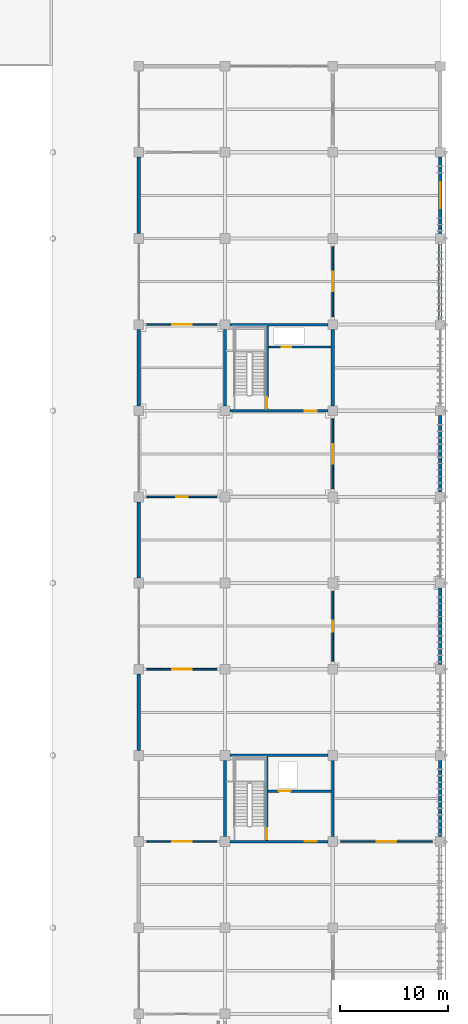
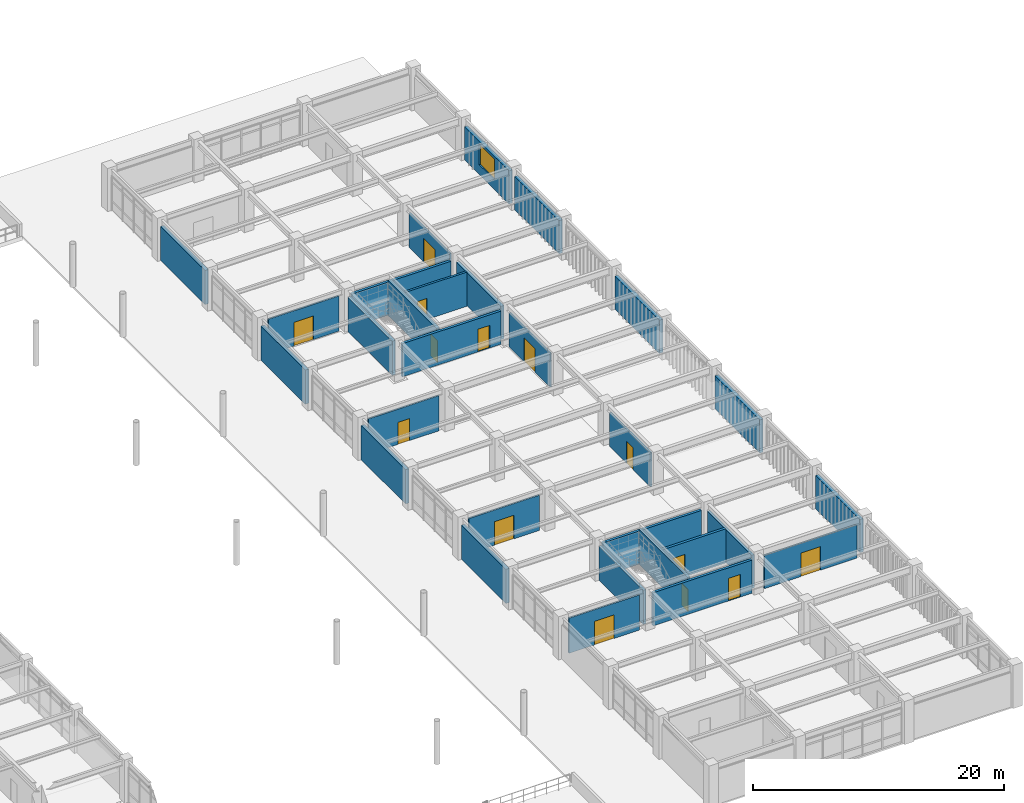
# One storey, part 93 of 118: 29 walls, 14 doors, 1 window, 15 openings.
"""IFC4 building model written with IfcOpenShell, lengths in metres."""

import ifcopenshell
import ifcopenshell.guid

model = None  # the IFC model being written
_history = None  # IfcOwnerHistory: only IFC2X3 demands one
_inside = {}  # id of a spatial element -> (the spatial element, [elements in it])
_under = {}  # id of a project, library or spatial element -> (it, [spatial elements below it])
_declared = {}  # id of a project -> (the project, [libraries it declares])
_typed = {}  # id of a type object -> (the type object, [elements of that type])
_made_of = {}  # id of a material, layer set ... -> (it, [elements and type objects made of it])


def new_model(schema):
    """Start an empty IFC model of exactly this schema.

    Asked for "IFC4X3", IfcOpenShell would pick the latest addendum, in which some entities
    have other attributes; the version numbers below select the first issue.
    IFC2X3 requires an IfcOwnerHistory on every rooted entity: one is made here for all.
    """
    global model, _history
    if schema == "IFC4X3":
        model = ifcopenshell.file(schema_version=(4, 3, 0, 0))
    else:
        model = ifcopenshell.file(schema=schema)
    _inside.clear()
    _under.clear()
    _declared.clear()
    _typed.clear()
    _made_of.clear()
    _history = None
    if model.schema == "IFC2X3":
        org = make("IfcOrganization", Name="unknown")
        user = make(
            "IfcPersonAndOrganization",
            ThePerson=make("IfcPerson", FamilyName="unknown"),
            TheOrganization=org,
        )
        app = make(
            "IfcApplication",
            ApplicationDeveloper=org,
            Version="unknown",
            ApplicationFullName="unknown",
            ApplicationIdentifier="unknown",
        )
        _history = make(
            "IfcOwnerHistory",
            OwningUser=user,
            OwningApplication=app,
            ChangeAction="ADDED",
            CreationDate=0,
        )
    return model


def make(cls, **values):
    """One entity of the class cls with the attributes given. An attribute that is None is left unset."""
    return model.create_entity(
        cls, **{name: value for name, value in values.items() if value is not None}
    )


def rooted(cls, **values):
    """An entity with a GlobalId (a new one), such as an element, a storey or a relation."""
    return make(cls, GlobalId=ifcopenshell.guid.new(), OwnerHistory=_history, **values)


def si_unit(unit_type, name, prefix=None):
    """IfcSIUnit, for example si_unit("LENGTHUNIT", "METRE", prefix="MILLI")."""
    return make("IfcSIUnit", UnitType=unit_type, Prefix=prefix, Name=name)


def assignment(units):
    """IfcUnitAssignment: the units of a project."""
    return None if units is None else make("IfcUnitAssignment", Units=units)


def point(xyz):
    """IfcCartesianPoint."""
    return None if xyz is None else make("IfcCartesianPoint", Coordinates=xyz)


def direction(xyz):
    """IfcDirection."""
    return None if xyz is None else make("IfcDirection", DirectionRatios=xyz)


def frame(location, z_axis=None, x_axis=None):
    """IfcAxis2Placement3D, a coordinate frame: its origin and axes. An axis left out is left unset."""
    return make(
        "IfcAxis2Placement3D",
        Location=point(location),
        Axis=direction(z_axis),
        RefDirection=direction(x_axis),
    )


def frame_2d(location, x_axis=None):
    """IfcAxis2Placement2D, a coordinate frame in the plane: its origin and x axis."""
    return make(
        "IfcAxis2Placement2D", Location=point(location), RefDirection=direction(x_axis)
    )


def origin():
    """The frame at (0, 0, 0) with its axes left unset."""
    return frame((0.0, 0.0, 0.0))


def place(relative_to, where):
    """IfcLocalPlacement: puts the frame where relative to a parent placement (None: the world)."""
    return make(
        "IfcLocalPlacement", PlacementRelTo=relative_to, RelativePlacement=where
    )


def context(
    kind, dimensions, precision=None, world=None, true_north=None, identifier=None
):
    """IfcGeometricRepresentationContext, for example the 3D "Model" context."""
    return make(
        "IfcGeometricRepresentationContext",
        ContextIdentifier=identifier,
        ContextType=kind,
        CoordinateSpaceDimension=dimensions,
        Precision=precision,
        WorldCoordinateSystem=world,
        TrueNorth=true_north,
    )


def subcontext(parent, identifier, kind, view, scale=None):
    """IfcGeometricRepresentationSubContext, for example "Body" below "Model"."""
    return make(
        "IfcGeometricRepresentationSubContext",
        ContextIdentifier=identifier,
        ContextType=kind,
        ParentContext=parent,
        TargetScale=scale,
        TargetView=view,
    )


def project(units=None, contexts=None):
    """IfcProject with its units and contexts."""
    return rooted(
        "IfcProject",
        Name="project",
        RepresentationContexts=contexts,
        UnitsInContext=assignment(units),
    )


def spatial(cls, under=None, at=None, **own):
    """A site, building, storey or space (cls), placed at a placement, below another one or the project."""
    s = rooted(cls, ObjectPlacement=at, **own)
    if under is not None:
        _under.setdefault(under.id(), (under, []))[1].append(s)
    return s


def profile(cls, at=None, kind="AREA", **sizes):
    """A parametric profile (cls). Its sizes go by their IFC names, for example OverallWidth=200.0."""
    return make(cls, ProfileType=kind, Position=at, **sizes)


def rectangle(**sizes):
    """IfcRectangleProfileDef."""
    return profile("IfcRectangleProfileDef", **sizes)


def extrude(swept, where, along, depth):
    """IfcExtrudedAreaSolid: the profile swept, set in the frame where, extruded along a direction by depth."""
    return make(
        "IfcExtrudedAreaSolid",
        SweptArea=swept,
        Position=where,
        ExtrudedDirection=direction(along),
        Depth=depth,
    )


def shape(context_of_items, identifier, shape_type, items):
    """IfcShapeRepresentation: the items that make up one representation, for example the "Body"."""
    return make(
        "IfcShapeRepresentation",
        ContextOfItems=context_of_items,
        RepresentationIdentifier=identifier,
        RepresentationType=shape_type,
        Items=items,
    )


def material(Name=None, Category=None):
    """IfcMaterial."""
    return make("IfcMaterial", Name=Name, Category=Category)


def layer(
    of_material, thickness, ventilated=None, Name=None, Category=None, Priority=None
):
    """IfcMaterialLayer: one layer of a wall or slab, of a material (None: an air gap)."""
    return make(
        "IfcMaterialLayer",
        Material=of_material,
        LayerThickness=thickness,
        IsVentilated=ventilated,
        Name=Name,
        Category=Category,
        Priority=Priority,
    )


def layer_set(layers, Name=None):
    """IfcMaterialLayerSet."""
    return make("IfcMaterialLayerSet", MaterialLayers=layers, LayerSetName=Name)


def made_of(thing, what):
    """Note that an element or type object is made of a material, layer set ...; save() writes the relation."""
    if what is not None:
        _made_of.setdefault(what.id(), (what, []))[1].append(thing)
    return thing


def type_object(cls, material=None, **own):
    """A type object (cls), such as IfcWallType, which elements share."""
    return made_of(rooted(cls, **own), material)


def element(
    cls,
    number,
    at=None,
    inside=None,
    cuts=None,
    type_object=None,
    material=None,
    context=None,
    identifier="Body",
    shape_type=None,
    held_by="IfcProductDefinitionShape",
    body=None,
    shapes=None,
    **own,
):
    """One element of the class cls, such as IfcWall. Its Tag is "e" and its number.

    at: its placement. inside: the storey or other place that contains it. cuts: it is an
    opening in that element (IfcRelVoidsElement). A single representation is given by context,
    identifier, shape_type and body (its items); several are given by shapes. held_by: the class
    of the entity that holds the representations. save() writes the other relations.
    """
    e = rooted(cls, Tag="e%d" % number, ObjectPlacement=at, **own)
    if body is not None:
        shapes = [shape(context, identifier, shape_type, body)]
    if shapes is not None:
        e.Representation = make(held_by, Representations=shapes)
    if inside is not None:
        _inside.setdefault(inside.id(), (inside, []))[1].append(e)
    if cuts is not None:
        rooted(
            "IfcRelVoidsElement", RelatingBuildingElement=cuts, RelatedOpeningElement=e
        )
    if type_object is not None:
        _typed.setdefault(type_object.id(), (type_object, []))[1].append(e)
    return made_of(e, material)


def fill(opening, filler):
    """IfcRelFillsElement: the door or window that sits in an opening."""
    return rooted(
        "IfcRelFillsElement",
        RelatingOpeningElement=opening,
        RelatedBuildingElement=filler,
    )


def aggregate(whole, parts):
    """IfcRelAggregates: a whole, such as a stair, and the parts it consists of."""
    return rooted("IfcRelAggregates", RelatingObject=whole, RelatedObjects=parts)


def save(model, path):
    """Write the relations noted so far, then the file.

    IfcRelAggregates (storeys below a building ...), IfcRelContainedInSpatialStructure (elements
    in a storey), IfcRelDefinesByType, IfcRelAssociatesMaterial and IfcRelDeclares: one each for
    every whole, place, type object, material and project.
    """
    for whole, parts in _under.values():
        aggregate(whole, parts)
    for where, things in _inside.values():
        rooted(
            "IfcRelContainedInSpatialStructure",
            RelatedElements=things,
            RelatingStructure=where,
        )
    for kind, things in _typed.values():
        rooted("IfcRelDefinesByType", RelatedObjects=things, RelatingType=kind)
    for what, things in _made_of.values():
        rooted("IfcRelAssociatesMaterial", RelatedObjects=things, RelatingMaterial=what)
    for by, libraries in _declared.values():
        rooted("IfcRelDeclares", RelatingContext=by, RelatedDefinitions=libraries)
    model.write(path)


model = new_model("IFC4")

# Units and contexts
model_context = context("Model", 3, precision=1e-05, world=origin(), true_north=direction((0.0, 1.0)))
body_context = subcontext(model_context, "Body", "Model", "MODEL_VIEW")
ifc_project = project(units=[si_unit("LENGTHUNIT", "METRE"), si_unit("AREAUNIT", "SQUARE_METRE"), si_unit("VOLUMEUNIT", "CUBIC_METRE"), si_unit("PLANEANGLEUNIT", "RADIAN"), si_unit("MASSUNIT", "GRAM", prefix="KILO")], contexts=[model_context])

# Site, building, storey
site_placement = place(None, origin())
site = spatial("IfcSite", under=ifc_project, at=site_placement, CompositionType="ELEMENT")
building_placement = place(site_placement, origin())
building = spatial("IfcBuilding", under=site, at=building_placement, Name="Haebicheon Civic Stadium", CompositionType="ELEMENT")
storey_placement = place(building_placement, frame((0.0, 0.0, 14.39990234375)))
storey = spatial("IfcBuildingStorey", under=building, at=storey_placement, Name="L04", CompositionType="ELEMENT", Elevation=14.39990234375)

# Wall, opening, door
ifc_material_1 = material(Name="Concrete C40/50", Category="concrete")
ifc_layer_1 = layer(ifc_material_1, 0.239990234375, Name="Concrete C40/50")
ifc_layer_set_1 = layer_set([ifc_layer_1], Name="Concrete C40/50")
wall_type_1 = type_object("IfcWallType", Name="CW-SHR-240", PredefinedType="SHEAR", material=ifc_layer_set_1)
wall_1_placement = place(storey_placement, frame((216.449951171875, 64.0, 0.0), z_axis=(0.0, 0.0, 1.0), x_axis=(1.0, 0.0, 0.0)))
wall_1 = element("IfcWall", 1, at=wall_1_placement, inside=storey, type_object=wall_type_1, material=ifc_layer_set_1, Name="KC-12 L04 south core shear wall", PredefinedType="SHEAR", context=body_context, shape_type="SweptSolid", body=[
    extrude(rectangle(XDim=9.10009765625, YDim=0.239990234375, at=frame_2d((4.550048828125, 0.0))), origin(), (0.0, 0.0, 1.0), 3.22998046875),
])
opening_1_placement = place(wall_1_placement, frame((6.949951171875, 0.0, 0.0)))
opening_1 = element("IfcOpeningElement", 2, at=opening_1_placement, cuts=wall_1, Name="Opening D-L04-KC-12-LOB", PredefinedType="OPENING", context=body_context, shape_type="SweptSolid", body=[
    extrude(rectangle(XDim=1.10009765625, YDim=2.199951171875, at=frame_2d((0.550048828125, 1.10009765625))), frame((0.0, 0.1298828125, 0.0), z_axis=(0.0, -1.0, 0.0), x_axis=(1.0, 0.0, 0.0)), (0.0, 0.0, 1.0), 0.260009765625),
])
ifc_material_2 = material(Name="Galvanised painted steel SM355", Category="steel")
door_type_1 = type_object("IfcDoorType", Name="ID-FD-1100", OperationType="NOTDEFINED", PredefinedType="DOOR", material=ifc_material_2)
door_1_placement = place(opening_1_placement, origin())
door_1 = element("IfcDoor", 3, at=door_1_placement, inside=storey, type_object=door_type_1, material=ifc_material_2, Name="L04 KC-12 lobby fire door", OperationType="SINGLE_SWING_LEFT", OverallHeight=2.199951171875, OverallWidth=1.10009765625, PredefinedType="DOOR", context=body_context, shape_type="SweptSolid", body=[
    extrude(rectangle(XDim=1.10009765625, YDim=2.199951171875, at=frame_2d((0.550048828125, 1.10009765625))), frame((0.0, 0.02490234375, 0.0), z_axis=(0.0, -1.0, 0.0), x_axis=(1.0, 0.0, 0.0)), (0.0, 0.0, 1.0), 0.050048828125),
])
fill(opening_1, door_1)

# Walls
wall_2_placement = place(storey_placement, frame((216.449951171875, 72.0, 0.0), z_axis=(0.0, 0.0, 1.0), x_axis=(1.0, 0.0, 0.0)))
element("IfcWall", 4, at=wall_2_placement, inside=storey, type_object=wall_type_1, material=ifc_layer_set_1, Name="KC-12 L04 north core shear wall", PredefinedType="SHEAR", context=body_context, shape_type="SweptSolid", body=[
    extrude(rectangle(XDim=9.10009765625, YDim=0.239990234375, at=frame_2d((4.550048828125, 0.0))), origin(), (0.0, 0.0, 1.0), 3.22998046875),
])
wall_3_placement = place(storey_placement, frame((216.0, 64.449951171875, 0.0), z_axis=(0.0, 0.0, 1.0), x_axis=(0.0, 1.0, 0.0)))
element("IfcWall", 5, at=wall_3_placement, inside=storey, type_object=wall_type_1, material=ifc_layer_set_1, Name="KC-12 L04 west core shear wall", PredefinedType="SHEAR", context=body_context, shape_type="SweptSolid", body=[
    extrude(rectangle(XDim=7.10009765625, YDim=0.239990234375, at=frame_2d((3.550048828125, 0.0))), origin(), (0.0, 0.0, 1.0), 3.330078125),
])
wall_4_placement = place(storey_placement, frame((226.0, 64.449951171875, 0.0), z_axis=(0.0, 0.0, 1.0), x_axis=(0.0, 1.0, 0.0)))
element("IfcWall", 6, at=wall_4_placement, inside=storey, type_object=wall_type_1, material=ifc_layer_set_1, Name="KC-12 L04 east core shear wall", PredefinedType="SHEAR", context=body_context, shape_type="SweptSolid", body=[
    extrude(rectangle(XDim=7.10009765625, YDim=0.239990234375, at=frame_2d((3.550048828125, 0.0))), origin(), (0.0, 0.0, 1.0), 3.22998046875),
])

# Wall, opening, door
wall_5_placement = place(storey_placement, frame((219.8798828125, 64.1201171875, 0.0), z_axis=(0.0, 0.0, 1.0), x_axis=(0.0, 1.0, 0.0)))
wall_5 = element("IfcWall", 7, at=wall_5_placement, inside=storey, type_object=wall_type_1, material=ifc_layer_set_1, Name="KC-12 L04 stair-lobby dividing shear wall", PredefinedType="SHEAR", context=body_context, shape_type="SweptSolid", body=[
    extrude(rectangle(XDim=7.759765625, YDim=0.239990234375, at=frame_2d((3.8798828125, 0.0))), origin(), (0.0, 0.0, 1.0), 3.43017578125),
])
opening_2_placement = place(wall_5_placement, frame((0.080078125, 0.0, 0.0)))
opening_2 = element("IfcOpeningElement", 8, at=opening_2_placement, cuts=wall_5, Name="Opening D-L04-KC-12-STR", PredefinedType="OPENING", context=body_context, shape_type="SweptSolid", body=[
    extrude(rectangle(XDim=1.050048828125, YDim=2.14990234375, at=frame_2d((0.52490234375, 1.074951171875))), frame((0.0, 0.1298828125, 0.0), z_axis=(0.0, -1.0, 0.0), x_axis=(1.0, 0.0, 0.0)), (0.0, 0.0, 1.0), 0.260009765625),
])
ifc_material_3 = material(Name="Galvanised painted steel SM355", Category="steel")
door_type_2 = type_object("IfcDoorType", Name="ID-FD-1050", OperationType="NOTDEFINED", PredefinedType="DOOR", material=ifc_material_3)
door_2_placement = place(opening_2_placement, origin())
door_2 = element("IfcDoor", 9, at=door_2_placement, inside=storey, type_object=door_type_2, material=ifc_material_3, Name="L04 ST-12 stairwell escape door", OperationType="SINGLE_SWING_RIGHT", OverallHeight=2.14990234375, OverallWidth=1.050048828125, PredefinedType="DOOR", context=body_context, shape_type="SweptSolid", body=[
    extrude(rectangle(XDim=1.050048828125, YDim=2.14990234375, at=frame_2d((0.52490234375, 1.074951171875))), frame((0.0, 0.02490234375, 0.0), z_axis=(0.0, -1.0, 0.0), x_axis=(1.0, 0.0, 0.0)), (0.0, 0.0, 1.0), 0.050048828125),
])
fill(opening_2, door_2)

wall_6_placement = place(storey_placement, frame((220.0, 68.679931640625, 0.0), z_axis=(0.0, 0.0, 1.0), x_axis=(1.0, 0.0, 0.0)))
wall_6 = element("IfcWall", 10, at=wall_6_placement, inside=storey, type_object=wall_type_1, material=ifc_layer_set_1, Name="KC-12 L04 lift shaft front wall", PredefinedType="SHEAR", context=body_context, shape_type="SweptSolid", body=[
    extrude(rectangle(XDim=5.8798828125, YDim=0.239990234375, at=frame_2d((2.93994140625, 0.0))), origin(), (0.0, 0.0, 1.0), 3.330078125),
])
opening_3_placement = place(wall_6_placement, frame((1.0, 0.0, 0.0)))
opening_3 = element("IfcOpeningElement", 11, at=opening_3_placement, cuts=wall_6, Name="Opening LD-09-L04", PredefinedType="OPENING", context=body_context, shape_type="SweptSolid", body=[
    extrude(rectangle(XDim=1.10009765625, YDim=2.14990234375, at=frame_2d((0.550048828125, 1.074951171875))), frame((0.0, 0.1298828125, 0.0), z_axis=(0.0, -1.0, 0.0), x_axis=(1.0, 0.0, 0.0)), (0.0, 0.0, 1.0), 0.260009765625),
])
ifc_material_4 = material(Name="Stainless steel 316", Category="steel")
door_type_3 = type_object("IfcDoorType", Name="ID-LD-1100", OperationType="NOTDEFINED", PredefinedType="DOOR", material=ifc_material_4)
door_3_placement = place(opening_3_placement, origin())
door_3 = element("IfcDoor", 12, at=door_3_placement, inside=storey, type_object=door_type_3, material=ifc_material_4, Name="LF-09 lift landing sliding door L04", OperationType="SLIDING_TO_LEFT", OverallHeight=2.14990234375, OverallWidth=1.10009765625, PredefinedType="DOOR", context=body_context, shape_type="SweptSolid", body=[
    extrude(rectangle(XDim=1.10009765625, YDim=2.14990234375, at=frame_2d((0.550048828125, 1.074951171875))), frame((0.0, 0.02490234375, 0.0), z_axis=(0.0, -1.0, 0.0), x_axis=(1.0, 0.0, 0.0)), (0.0, 0.0, 1.0), 0.050048828125),
])
fill(opening_3, door_3)

wall_7_placement = place(storey_placement, frame((216.449951171875, 104.0, 0.0), z_axis=(0.0, 0.0, 1.0), x_axis=(1.0, 0.0, 0.0)))
wall_7 = element("IfcWall", 13, at=wall_7_placement, inside=storey, type_object=wall_type_1, material=ifc_layer_set_1, Name="KC-13 L04 south core shear wall", PredefinedType="SHEAR", context=body_context, shape_type="SweptSolid", body=[
    extrude(rectangle(XDim=9.10009765625, YDim=0.239990234375, at=frame_2d((4.550048828125, 0.0))), origin(), (0.0, 0.0, 1.0), 3.22998046875),
])
opening_4_placement = place(wall_7_placement, frame((6.949951171875, 0.0, 0.0)))
opening_4 = element("IfcOpeningElement", 14, at=opening_4_placement, cuts=wall_7, Name="Opening D-L04-KC-13-LOB", PredefinedType="OPENING", context=body_context, shape_type="SweptSolid", body=[
    extrude(rectangle(XDim=1.10009765625, YDim=2.199951171875, at=frame_2d((0.550048828125, 1.10009765625))), frame((0.0, 0.1298828125, 0.0), z_axis=(0.0, -1.0, 0.0), x_axis=(1.0, 0.0, 0.0)), (0.0, 0.0, 1.0), 0.260009765625),
])
door_4_placement = place(opening_4_placement, origin())
door_4 = element("IfcDoor", 15, at=door_4_placement, inside=storey, type_object=door_type_1, material=ifc_material_2, Name="L04 KC-13 lobby fire door", OperationType="SINGLE_SWING_RIGHT", OverallHeight=2.199951171875, OverallWidth=1.10009765625, PredefinedType="DOOR", context=body_context, shape_type="SweptSolid", body=[
    extrude(rectangle(XDim=1.10009765625, YDim=2.199951171875, at=frame_2d((0.550048828125, 1.10009765625))), frame((0.0, 0.02490234375, 0.0), z_axis=(0.0, -1.0, 0.0), x_axis=(1.0, 0.0, 0.0)), (0.0, 0.0, 1.0), 0.050048828125),
])
fill(opening_4, door_4)

# Walls
wall_8_placement = place(storey_placement, frame((216.449951171875, 112.0, 0.0), z_axis=(0.0, 0.0, 1.0), x_axis=(1.0, 0.0, 0.0)))
element("IfcWall", 16, at=wall_8_placement, inside=storey, type_object=wall_type_1, material=ifc_layer_set_1, Name="KC-13 L04 north core shear wall", PredefinedType="SHEAR", context=body_context, shape_type="SweptSolid", body=[
    extrude(rectangle(XDim=9.10009765625, YDim=0.239990234375, at=frame_2d((4.550048828125, 0.0))), origin(), (0.0, 0.0, 1.0), 3.22998046875),
])
ifc_material_5 = material(Name="Concrete C40/50", Category="concrete")
ifc_layer_2 = layer(ifc_material_5, 0.300048828125, Name="Concrete C40/50")
ifc_layer_set_2 = layer_set([ifc_layer_2], Name="Concrete C40/50")
wall_type_2 = type_object("IfcWallType", Name="CW-SHR-300", PredefinedType="SHEAR", material=ifc_layer_set_2)
wall_9_placement = place(storey_placement, frame((216.0, 104.449951171875, 0.0), z_axis=(0.0, 0.0, 1.0), x_axis=(0.0, 1.0, 0.0)))
element("IfcWall", 17, at=wall_9_placement, inside=storey, type_object=wall_type_2, material=ifc_layer_set_2, Name="KC-13 L04 west core shear wall", PredefinedType="SHEAR", context=body_context, shape_type="SweptSolid", body=[
    extrude(rectangle(XDim=7.10009765625, YDim=0.300048828125, at=frame_2d((3.550048828125, 0.0))), origin(), (0.0, 0.0, 1.0), 3.330078125),
])
wall_10_placement = place(storey_placement, frame((226.0, 104.449951171875, 0.0), z_axis=(0.0, 0.0, 1.0), x_axis=(0.0, 1.0, 0.0)))
element("IfcWall", 18, at=wall_10_placement, inside=storey, type_object=wall_type_2, material=ifc_layer_set_2, Name="KC-13 L04 east core shear wall", PredefinedType="SHEAR", context=body_context, shape_type="SweptSolid", body=[
    extrude(rectangle(XDim=7.10009765625, YDim=0.300048828125, at=frame_2d((3.550048828125, 0.0))), origin(), (0.0, 0.0, 1.0), 3.22998046875),
])

# Wall, opening, door
wall_11_placement = place(storey_placement, frame((219.8798828125, 104.1201171875, 0.0), z_axis=(0.0, 0.0, 1.0), x_axis=(0.0, 1.0, 0.0)))
wall_11 = element("IfcWall", 19, at=wall_11_placement, inside=storey, type_object=wall_type_2, material=ifc_layer_set_2, Name="KC-13 L04 stair-lobby dividing shear wall", PredefinedType="SHEAR", context=body_context, shape_type="SweptSolid", body=[
    extrude(rectangle(XDim=7.759765625, YDim=0.300048828125, at=frame_2d((3.8798828125, 0.0))), origin(), (0.0, 0.0, 1.0), 3.43017578125),
])
opening_5_placement = place(wall_11_placement, frame((0.080078125, 0.0, 0.0)))
opening_5 = element("IfcOpeningElement", 20, at=opening_5_placement, cuts=wall_11, Name="Opening D-L04-KC-13-STR", PredefinedType="OPENING", context=body_context, shape_type="SweptSolid", body=[
    extrude(rectangle(XDim=1.050048828125, YDim=2.14990234375, at=frame_2d((0.52490234375, 1.074951171875))), frame((0.0, 0.159912109375, 0.0), z_axis=(0.0, -1.0, 0.0), x_axis=(1.0, 0.0, 0.0)), (0.0, 0.0, 1.0), 0.320068359375),
])
door_5_placement = place(opening_5_placement, origin())
door_5 = element("IfcDoor", 21, at=door_5_placement, inside=storey, type_object=door_type_2, material=ifc_material_3, Name="L04 ST-13 stairwell escape door", OperationType="SINGLE_SWING_LEFT", OverallHeight=2.14990234375, OverallWidth=1.050048828125, PredefinedType="DOOR", context=body_context, shape_type="SweptSolid", body=[
    extrude(rectangle(XDim=1.050048828125, YDim=2.14990234375, at=frame_2d((0.52490234375, 1.074951171875))), frame((0.0, 0.02490234375, 0.0), z_axis=(0.0, -1.0, 0.0), x_axis=(1.0, 0.0, 0.0)), (0.0, 0.0, 1.0), 0.050048828125),
])
fill(opening_5, door_5)

# Walls
ifc_material_6 = material(Name="Precast concrete C40/50", Category="concrete")
ifc_layer_3 = layer(ifc_material_6, 0.320068359375, Name="Precast concrete C40/50")
ifc_layer_set_3 = layer_set([ifc_layer_3], Name="Precast concrete C40/50")
wall_type_3 = type_object("IfcWallType", Name="EW-BM-320", PredefinedType="SOLIDWALL", material=ifc_layer_set_3)
for number, where, z_axis, x_axis, name in (
    (22, (208.0, 72.449951171875, 0.0), (0.0, 0.0, 1.0), (0.0, 1.0, 0.0), "L04 board-marked concrete facade wall 26-09-W"),
    (23, (208.0, 88.449951171875, 0.0), (0.0, 0.0, 1.0), (0.0, 1.0, 0.0), "L04 board-marked concrete facade wall 26-11-W"),
    (24, (208.0, 104.449951171875, 0.0), (0.0, 0.0, 1.0), (0.0, 1.0, 0.0), "L04 board-marked concrete facade wall 26-13-W"),
    (25, (208.0, 120.449951171875, 0.0), (0.0, 0.0, 1.0), (0.0, 1.0, 0.0), "L04 board-marked concrete facade wall 26-15-W"),
):
    element("IfcWall", number, at=place(storey_placement, frame(where, z_axis=z_axis, x_axis=x_axis)), inside=storey, type_object=wall_type_3, material=ifc_layer_set_3, Name=name, PredefinedType="SOLIDWALL", context=body_context, shape_type="SweptSolid", body=[
        extrude(rectangle(XDim=7.10009765625, YDim=0.320068359375, at=frame_2d((3.550048828125, 0.0))), origin(), (0.0, 0.0, 1.0), 3.330078125),
    ])
for number, where, z_axis, x_axis, name in (
    (26, (236.0, 64.449951171875, 0.0), (0.0, 0.0, 1.0), (0.0, 1.0, 0.0), "L04 board-marked concrete facade wall 29-08-E"),
    (27, (236.0, 80.449951171875, 0.0), (0.0, 0.0, 1.0), (0.0, 1.0, 0.0), "L04 board-marked concrete facade wall 29-10-E"),
    (28, (236.0, 96.449951171875, 0.0), (0.0, 0.0, 1.0), (0.0, 1.0, 0.0), "L04 board-marked concrete facade wall 29-12-E"),
    (29, (236.0, 112.449951171875, 0.0), (0.0, 0.0, 1.0), (0.0, 1.0, 0.0), "L04 board-marked concrete facade wall 29-14-E"),
):
    element("IfcWall", number, at=place(storey_placement, frame(where, z_axis=z_axis, x_axis=x_axis)), inside=storey, type_object=wall_type_3, material=ifc_layer_set_3, Name=name, PredefinedType="SOLIDWALL", context=body_context, shape_type="SweptSolid", body=[
        extrude(rectangle(XDim=7.10009765625, YDim=0.320068359375, at=frame_2d((3.550048828125, 0.0))), origin(), (0.0, 0.0, 1.0), 3.22998046875),
    ])

# Wall, opening, window
wall_12_placement = place(storey_placement, frame((236.0, 120.449951171875, 0.0), z_axis=(0.0, 0.0, 1.0), x_axis=(0.0, 1.0, 0.0)))
wall_12 = element("IfcWall", 30, at=wall_12_placement, inside=storey, type_object=wall_type_3, material=ifc_layer_set_3, Name="L04 board-marked concrete facade wall 29-15-E", PredefinedType="SOLIDWALL", context=body_context, shape_type="SweptSolid", body=[
    extrude(rectangle(XDim=7.10009765625, YDim=0.320068359375, at=frame_2d((3.550048828125, 0.0))), origin(), (0.0, 0.0, 1.0), 3.22998046875),
])
opening_6_placement = place(wall_12_placement, frame((2.35009765625, 0.0, 0.949951171875)))
opening_6 = element("IfcOpeningElement", 31, at=opening_6_placement, cuts=wall_12, Name="Opening WIN-240x200", PredefinedType="OPENING", context=body_context, shape_type="SweptSolid", body=[
    extrude(rectangle(XDim=2.39990234375, YDim=2.0, at=frame_2d((1.199951171875, 1.0))), frame((0.0, 0.169921875, 0.0), z_axis=(0.0, -1.0, 0.0), x_axis=(1.0, 0.0, 0.0)), (0.0, 0.0, 1.0), 0.340087890625),
])
ifc_material_7 = material(Name="Anodised aluminium and laminated glass", Category="aluminium")
window_type = type_object("IfcWindowType", Name="WIN-240x200", PartitioningType="SINGLE_PANEL", PredefinedType="WINDOW", material=ifc_material_7)
window_placement = place(opening_6_placement, origin())
window = element("IfcWindow", 32, at=window_placement, inside=storey, type_object=window_type, material=ifc_material_7, Name="L04 facade window 099", OverallHeight=2.0, OverallWidth=2.39990234375, PartitioningType="SINGLE_PANEL", PredefinedType="WINDOW", context=body_context, shape_type="SweptSolid", body=[
    extrude(rectangle(XDim=2.39990234375, YDim=2.0, at=frame_2d((1.199951171875, 1.0))), frame((0.0, 0.030029296875, 0.0), z_axis=(0.0, -1.0, 0.0), x_axis=(1.0, 0.0, 0.0)), (0.0, 0.0, 1.0), 0.06005859375),
])
fill(opening_6, window)

# Wall, opening, door
ifc_material_8 = material(Name="Concrete C35/45", Category="concrete")
ifc_layer_4 = layer(ifc_material_8, 0.199951171875, Name="Concrete C35/45")
ifc_layer_set_4 = layer_set([ifc_layer_4], Name="Concrete C35/45")
wall_type_4 = type_object("IfcWallType", Name="IW-FIR-200", PredefinedType="PARTITIONING", material=ifc_layer_set_4)
wall_13_placement = place(storey_placement, frame((220.030029296875, 109.919921875, 0.0), z_axis=(0.0, 0.0, 1.0), x_axis=(1.0, 0.0, 0.0)))
wall_13 = element("IfcWall", 33, at=wall_13_placement, inside=storey, type_object=wall_type_4, material=ifc_layer_set_4, Name="KC-13 L04 service riser wall", PredefinedType="PARTITIONING", context=body_context, shape_type="SweptSolid", body=[
    extrude(rectangle(XDim=5.820068359375, YDim=0.199951171875, at=frame_2d((2.91015625, 0.0))), origin(), (0.0, 0.0, 1.0), 3.330078125),
])
opening_7_placement = place(wall_13_placement, frame((1.25, 0.0, 0.0)))
opening_7 = element("IfcOpeningElement", 34, at=opening_7_placement, cuts=wall_13, Name="Opening D-L04-KC-13-RSR", PredefinedType="OPENING", context=body_context, shape_type="SweptSolid", body=[
    extrude(rectangle(XDim=0.85009765625, YDim=2.050048828125, at=frame_2d((0.425048828125, 1.02490234375))), frame((0.0, 0.10986328125, 0.0), z_axis=(0.0, -1.0, 0.0), x_axis=(1.0, 0.0, 0.0)), (0.0, 0.0, 1.0), 0.219970703125),
])
ifc_material_9 = material(Name="Galvanised painted steel SM355", Category="steel")
door_type_4 = type_object("IfcDoorType", Name="ID-RSR-0850", OperationType="NOTDEFINED", PredefinedType="TRAPDOOR", material=ifc_material_9)
door_6_placement = place(opening_7_placement, origin())
door_6 = element("IfcDoor", 35, at=door_6_placement, inside=storey, type_object=door_type_4, material=ifc_material_9, Name="L04 KC-13 riser access door", OperationType="SINGLE_SWING_RIGHT", OverallHeight=2.050048828125, OverallWidth=0.85009765625, PredefinedType="TRAPDOOR", context=body_context, shape_type="SweptSolid", body=[
    extrude(rectangle(XDim=0.85009765625, YDim=2.050048828125, at=frame_2d((0.425048828125, 1.02490234375))), frame((0.0, 0.02490234375, 0.0), z_axis=(0.0, -1.0, 0.0), x_axis=(1.0, 0.0, 0.0)), (0.0, 0.0, 1.0), 0.050048828125),
])
fill(opening_7, door_6)

ifc_material_10 = material(Name="Gypsum plasterboard on steel studs", Category="gypsum")
ifc_layer_5 = layer(ifc_material_10, 0.14990234375, Name="Gypsum plasterboard on steel studs")
ifc_layer_set_5 = layer_set([ifc_layer_5], Name="Gypsum plasterboard on steel studs")
wall_type_5 = type_object("IfcWallType", Name="IW-PRT-150", PredefinedType="PARTITIONING", material=ifc_layer_set_5)
wall_14_placement = place(storey_placement, frame((208.75, 64.0, 0.0), z_axis=(0.0, 0.0, 1.0), x_axis=(1.0, 0.0, 0.0)))
wall_14 = element("IfcWall", 36, at=wall_14_placement, inside=storey, type_object=wall_type_5, material=ifc_layer_set_5, Name="L04 Youth Academy Study Hall partition wall", PredefinedType="PARTITIONING", context=body_context, shape_type="SweptSolid", body=[
    extrude(rectangle(XDim=6.5, YDim=0.14990234375, at=frame_2d((3.25, 0.0))), origin(), (0.0, 0.0, 1.0), 3.43017578125),
])
opening_8_placement = place(wall_14_placement, frame((2.35009765625, 0.0, 0.0)))
opening_8 = element("IfcOpeningElement", 37, at=opening_8_placement, cuts=wall_14, Name="Opening D-L04-399", PredefinedType="OPENING", context=body_context, shape_type="SweptSolid", body=[
    extrude(rectangle(XDim=1.800048828125, YDim=2.300048828125, at=frame_2d((0.89990234375, 1.14990234375))), frame((0.0, 0.0849609375, 0.0), z_axis=(0.0, -1.0, 0.0), x_axis=(1.0, 0.0, 0.0)), (0.0, 0.0, 1.0), 0.169921875),
])
ifc_material_11 = material(Name="Galvanised painted steel SM355", Category="steel")
door_type_5 = type_object("IfcDoorType", Name="ID-DBL-1800", OperationType="NOTDEFINED", PredefinedType="DOOR", material=ifc_material_11)
door_7_placement = place(opening_8_placement, origin())
door_7 = element("IfcDoor", 38, at=door_7_placement, inside=storey, type_object=door_type_5, material=ifc_material_11, Name="L04 Youth Academy Study Hall entrance door D-L04-399", OperationType="DOUBLE_SWING_LEFT", OverallHeight=2.300048828125, OverallWidth=1.800048828125, PredefinedType="DOOR", context=body_context, shape_type="SweptSolid", body=[
    extrude(rectangle(XDim=1.800048828125, YDim=2.300048828125, at=frame_2d((0.89990234375, 1.14990234375))), frame((0.0, 0.02490234375, 0.0), z_axis=(0.0, -1.0, 0.0), x_axis=(1.0, 0.0, 0.0)), (0.0, 0.0, 1.0), 0.050048828125),
])
fill(opening_8, door_7)

wall_15_placement = place(storey_placement, frame((208.75, 80.0, 0.0), z_axis=(0.0, 0.0, 1.0), x_axis=(1.0, 0.0, 0.0)))
wall_15 = element("IfcWall", 39, at=wall_15_placement, inside=storey, type_object=wall_type_5, material=ifc_layer_set_5, Name="L04 Warm-Up Field Viewing Lounge partition wall", PredefinedType="PARTITIONING", context=body_context, shape_type="SweptSolid", body=[
    extrude(rectangle(XDim=6.5, YDim=0.14990234375, at=frame_2d((3.25, 0.0))), origin(), (0.0, 0.0, 1.0), 3.43017578125),
])
opening_9_placement = place(wall_15_placement, frame((2.35009765625, 0.0, 0.0)))
opening_9 = element("IfcOpeningElement", 40, at=opening_9_placement, cuts=wall_15, Name="Opening D-L04-400", PredefinedType="OPENING", context=body_context, shape_type="SweptSolid", body=[
    extrude(rectangle(XDim=1.800048828125, YDim=2.300048828125, at=frame_2d((0.89990234375, 1.14990234375))), frame((0.0, 0.0849609375, 0.0), z_axis=(0.0, -1.0, 0.0), x_axis=(1.0, 0.0, 0.0)), (0.0, 0.0, 1.0), 0.169921875),
])
door_8_placement = place(opening_9_placement, origin())
door_8 = element("IfcDoor", 41, at=door_8_placement, inside=storey, type_object=door_type_5, material=ifc_material_11, Name="L04 Warm-Up Field Viewing Lounge entrance door D-L04-400", OperationType="DOUBLE_SWING_LEFT", OverallHeight=2.300048828125, OverallWidth=1.800048828125, PredefinedType="DOOR", context=body_context, shape_type="SweptSolid", body=[
    extrude(rectangle(XDim=1.800048828125, YDim=2.300048828125, at=frame_2d((0.89990234375, 1.14990234375))), frame((0.0, 0.02490234375, 0.0), z_axis=(0.0, -1.0, 0.0), x_axis=(1.0, 0.0, 0.0)), (0.0, 0.0, 1.0), 0.050048828125),
])
fill(opening_9, door_8)

wall_16_placement = place(storey_placement, frame((208.75, 96.0, 0.0), z_axis=(0.0, 0.0, 1.0), x_axis=(1.0, 0.0, 0.0)))
wall_16 = element("IfcWall", 42, at=wall_16_placement, inside=storey, type_object=wall_type_5, material=ifc_layer_set_5, Name="L04 Community Club Suite partition wall", PredefinedType="PARTITIONING", context=body_context, shape_type="SweptSolid", body=[
    extrude(rectangle(XDim=6.5, YDim=0.14990234375, at=frame_2d((3.25, 0.0))), origin(), (0.0, 0.0, 1.0), 3.43017578125),
])
opening_10_placement = place(wall_16_placement, frame((2.72509765625, 0.0, 0.0)))
opening_10 = element("IfcOpeningElement", 43, at=opening_10_placement, cuts=wall_16, Name="Opening D-L04-401", PredefinedType="OPENING", context=body_context, shape_type="SweptSolid", body=[
    extrude(rectangle(XDim=1.050048828125, YDim=2.14990234375, at=frame_2d((0.52490234375, 1.074951171875))), frame((0.0, 0.0849609375, 0.0), z_axis=(0.0, -1.0, 0.0), x_axis=(1.0, 0.0, 0.0)), (0.0, 0.0, 1.0), 0.169921875),
])
ifc_material_12 = material(Name="Engineered hardwood timber", Category="wood")
door_type_6 = type_object("IfcDoorType", Name="ID-RM-1050", OperationType="NOTDEFINED", PredefinedType="DOOR", material=ifc_material_12)
door_9_placement = place(opening_10_placement, origin())
door_9 = element("IfcDoor", 44, at=door_9_placement, inside=storey, type_object=door_type_6, material=ifc_material_12, Name="L04 Community Club Suite entrance door D-L04-401", OperationType="SINGLE_SWING_LEFT", OverallHeight=2.14990234375, OverallWidth=1.050048828125, PredefinedType="DOOR", context=body_context, shape_type="SweptSolid", body=[
    extrude(rectangle(XDim=1.050048828125, YDim=2.14990234375, at=frame_2d((0.52490234375, 1.074951171875))), frame((0.0, 0.02490234375, 0.0), z_axis=(0.0, -1.0, 0.0), x_axis=(1.0, 0.0, 0.0)), (0.0, 0.0, 1.0), 0.050048828125),
])
fill(opening_10, door_9)

wall_17_placement = place(storey_placement, frame((208.75, 112.0, 0.0), z_axis=(0.0, 0.0, 1.0), x_axis=(1.0, 0.0, 0.0)))
wall_17 = element("IfcWall", 45, at=wall_17_placement, inside=storey, type_object=wall_type_5, material=ifc_layer_set_5, Name="L04 Youth Academy Study Hall partition wall", PredefinedType="PARTITIONING", context=body_context, shape_type="SweptSolid", body=[
    extrude(rectangle(XDim=6.5, YDim=0.14990234375, at=frame_2d((3.25, 0.0))), origin(), (0.0, 0.0, 1.0), 3.43017578125),
])
opening_11_placement = place(wall_17_placement, frame((2.35009765625, 0.0, 0.0)))
opening_11 = element("IfcOpeningElement", 46, at=opening_11_placement, cuts=wall_17, Name="Opening D-L04-402", PredefinedType="OPENING", context=body_context, shape_type="SweptSolid", body=[
    extrude(rectangle(XDim=1.800048828125, YDim=2.300048828125, at=frame_2d((0.89990234375, 1.14990234375))), frame((0.0, 0.0849609375, 0.0), z_axis=(0.0, -1.0, 0.0), x_axis=(1.0, 0.0, 0.0)), (0.0, 0.0, 1.0), 0.169921875),
])
door_10_placement = place(opening_11_placement, origin())
door_10 = element("IfcDoor", 47, at=door_10_placement, inside=storey, type_object=door_type_5, material=ifc_material_11, Name="L04 Youth Academy Study Hall entrance door D-L04-402", OperationType="DOUBLE_SWING_LEFT", OverallHeight=2.300048828125, OverallWidth=1.800048828125, PredefinedType="DOOR", context=body_context, shape_type="SweptSolid", body=[
    extrude(rectangle(XDim=1.800048828125, YDim=2.300048828125, at=frame_2d((0.89990234375, 1.14990234375))), frame((0.0, 0.02490234375, 0.0), z_axis=(0.0, -1.0, 0.0), x_axis=(1.0, 0.0, 0.0)), (0.0, 0.0, 1.0), 0.050048828125),
])
fill(opening_11, door_10)

wall_18_placement = place(storey_placement, frame((226.75, 64.0, 0.0), z_axis=(0.0, 0.0, 1.0), x_axis=(1.0, 0.0, 0.0)))
wall_18 = element("IfcWall", 48, at=wall_18_placement, inside=storey, type_object=wall_type_5, material=ifc_layer_set_5, Name="L04 Warm-Up Field Viewing Lounge partition wall", PredefinedType="PARTITIONING", context=body_context, shape_type="SweptSolid", body=[
    extrude(rectangle(XDim=8.5, YDim=0.14990234375, at=frame_2d((4.25, 0.0))), origin(), (0.0, 0.0, 1.0), 3.22998046875),
])
opening_12_placement = place(wall_18_placement, frame((3.35009765625, 0.0, 0.0)))
opening_12 = element("IfcOpeningElement", 49, at=opening_12_placement, cuts=wall_18, Name="Opening D-L04-406", PredefinedType="OPENING", context=body_context, shape_type="SweptSolid", body=[
    extrude(rectangle(XDim=1.800048828125, YDim=2.300048828125, at=frame_2d((0.89990234375, 1.14990234375))), frame((0.0, 0.0849609375, 0.0), z_axis=(0.0, -1.0, 0.0), x_axis=(1.0, 0.0, 0.0)), (0.0, 0.0, 1.0), 0.169921875),
])
door_11_placement = place(opening_12_placement, origin())
door_11 = element("IfcDoor", 50, at=door_11_placement, inside=storey, type_object=door_type_5, material=ifc_material_11, Name="L04 Warm-Up Field Viewing Lounge entrance door D-L04-406", OperationType="DOUBLE_SWING_LEFT", OverallHeight=2.300048828125, OverallWidth=1.800048828125, PredefinedType="DOOR", context=body_context, shape_type="SweptSolid", body=[
    extrude(rectangle(XDim=1.800048828125, YDim=2.300048828125, at=frame_2d((0.89990234375, 1.14990234375))), frame((0.0, 0.02490234375, 0.0), z_axis=(0.0, -1.0, 0.0), x_axis=(1.0, 0.0, 0.0)), (0.0, 0.0, 1.0), 0.050048828125),
])
fill(opening_12, door_11)

wall_19_placement = place(storey_placement, frame((226.0, 80.75, 0.0), z_axis=(0.0, 0.0, 1.0), x_axis=(0.0, 1.0, 0.0)))
wall_19 = element("IfcWall", 51, at=wall_19_placement, inside=storey, type_object=wall_type_5, material=ifc_layer_set_5, Name="L04 Community Club Suite partition wall", PredefinedType="PARTITIONING", context=body_context, shape_type="SweptSolid", body=[
    extrude(rectangle(XDim=6.5, YDim=0.14990234375, at=frame_2d((3.25, 0.0))), origin(), (0.0, 0.0, 1.0), 3.330078125),
])
opening_13_placement = place(wall_19_placement, frame((2.72509765625, 0.0, 0.0)))
opening_13 = element("IfcOpeningElement", 52, at=opening_13_placement, cuts=wall_19, Name="Opening D-L04-407", PredefinedType="OPENING", context=body_context, shape_type="SweptSolid", body=[
    extrude(rectangle(XDim=1.050048828125, YDim=2.14990234375, at=frame_2d((0.52490234375, 1.074951171875))), frame((0.0, 0.0849609375, 0.0), z_axis=(0.0, -1.0, 0.0), x_axis=(1.0, 0.0, 0.0)), (0.0, 0.0, 1.0), 0.169921875),
])
door_12_placement = place(opening_13_placement, origin())
door_12 = element("IfcDoor", 53, at=door_12_placement, inside=storey, type_object=door_type_6, material=ifc_material_12, Name="L04 Community Club Suite entrance door D-L04-407", OperationType="SINGLE_SWING_LEFT", OverallHeight=2.14990234375, OverallWidth=1.050048828125, PredefinedType="DOOR", context=body_context, shape_type="SweptSolid", body=[
    extrude(rectangle(XDim=1.050048828125, YDim=2.14990234375, at=frame_2d((0.52490234375, 1.074951171875))), frame((0.0, 0.02490234375, 0.0), z_axis=(0.0, -1.0, 0.0), x_axis=(1.0, 0.0, 0.0)), (0.0, 0.0, 1.0), 0.050048828125),
])
fill(opening_13, door_12)

wall_20_placement = place(storey_placement, frame((226.0, 96.75, 0.0), z_axis=(0.0, 0.0, 1.0), x_axis=(0.0, 1.0, 0.0)))
wall_20 = element("IfcWall", 54, at=wall_20_placement, inside=storey, type_object=wall_type_5, material=ifc_layer_set_5, Name="L04 Youth Academy Study Hall partition wall", PredefinedType="PARTITIONING", context=body_context, shape_type="SweptSolid", body=[
    extrude(rectangle(XDim=6.5, YDim=0.14990234375, at=frame_2d((3.25, 0.0))), origin(), (0.0, 0.0, 1.0), 3.330078125),
])
opening_14_placement = place(wall_20_placement, frame((2.35009765625, 0.0, 0.0)))
opening_14 = element("IfcOpeningElement", 55, at=opening_14_placement, cuts=wall_20, Name="Opening D-L04-408", PredefinedType="OPENING", context=body_context, shape_type="SweptSolid", body=[
    extrude(rectangle(XDim=1.800048828125, YDim=2.300048828125, at=frame_2d((0.89990234375, 1.14990234375))), frame((0.0, 0.0849609375, 0.0), z_axis=(0.0, -1.0, 0.0), x_axis=(1.0, 0.0, 0.0)), (0.0, 0.0, 1.0), 0.169921875),
])
door_13_placement = place(opening_14_placement, origin())
door_13 = element("IfcDoor", 56, at=door_13_placement, inside=storey, type_object=door_type_5, material=ifc_material_11, Name="L04 Youth Academy Study Hall entrance door D-L04-408", OperationType="DOUBLE_SWING_LEFT", OverallHeight=2.300048828125, OverallWidth=1.800048828125, PredefinedType="DOOR", context=body_context, shape_type="SweptSolid", body=[
    extrude(rectangle(XDim=1.800048828125, YDim=2.300048828125, at=frame_2d((0.89990234375, 1.14990234375))), frame((0.0, 0.02490234375, 0.0), z_axis=(0.0, -1.0, 0.0), x_axis=(1.0, 0.0, 0.0)), (0.0, 0.0, 1.0), 0.050048828125),
])
fill(opening_14, door_13)

wall_21_placement = place(storey_placement, frame((226.0, 112.75, 0.0), z_axis=(0.0, 0.0, 1.0), x_axis=(0.0, 1.0, 0.0)))
wall_21 = element("IfcWall", 57, at=wall_21_placement, inside=storey, type_object=wall_type_5, material=ifc_layer_set_5, Name="L04 Warm-Up Field Viewing Lounge partition wall", PredefinedType="PARTITIONING", context=body_context, shape_type="SweptSolid", body=[
    extrude(rectangle(XDim=6.5, YDim=0.14990234375, at=frame_2d((3.25, 0.0))), origin(), (0.0, 0.0, 1.0), 3.330078125),
])
opening_15_placement = place(wall_21_placement, frame((2.35009765625, 0.0, 0.0)))
opening_15 = element("IfcOpeningElement", 58, at=opening_15_placement, cuts=wall_21, Name="Opening D-L04-409", PredefinedType="OPENING", context=body_context, shape_type="SweptSolid", body=[
    extrude(rectangle(XDim=1.800048828125, YDim=2.300048828125, at=frame_2d((0.89990234375, 1.14990234375))), frame((0.0, 0.0849609375, 0.0), z_axis=(0.0, -1.0, 0.0), x_axis=(1.0, 0.0, 0.0)), (0.0, 0.0, 1.0), 0.169921875),
])
door_14_placement = place(opening_15_placement, origin())
door_14 = element("IfcDoor", 59, at=door_14_placement, inside=storey, type_object=door_type_5, material=ifc_material_11, Name="L04 Warm-Up Field Viewing Lounge entrance door D-L04-409", OperationType="DOUBLE_SWING_LEFT", OverallHeight=2.300048828125, OverallWidth=1.800048828125, PredefinedType="DOOR", context=body_context, shape_type="SweptSolid", body=[
    extrude(rectangle(XDim=1.800048828125, YDim=2.300048828125, at=frame_2d((0.89990234375, 1.14990234375))), frame((0.0, 0.02490234375, 0.0), z_axis=(0.0, -1.0, 0.0), x_axis=(1.0, 0.0, 0.0)), (0.0, 0.0, 1.0), 0.050048828125),
])
fill(opening_15, door_14)

save(model, "model.ifc")
